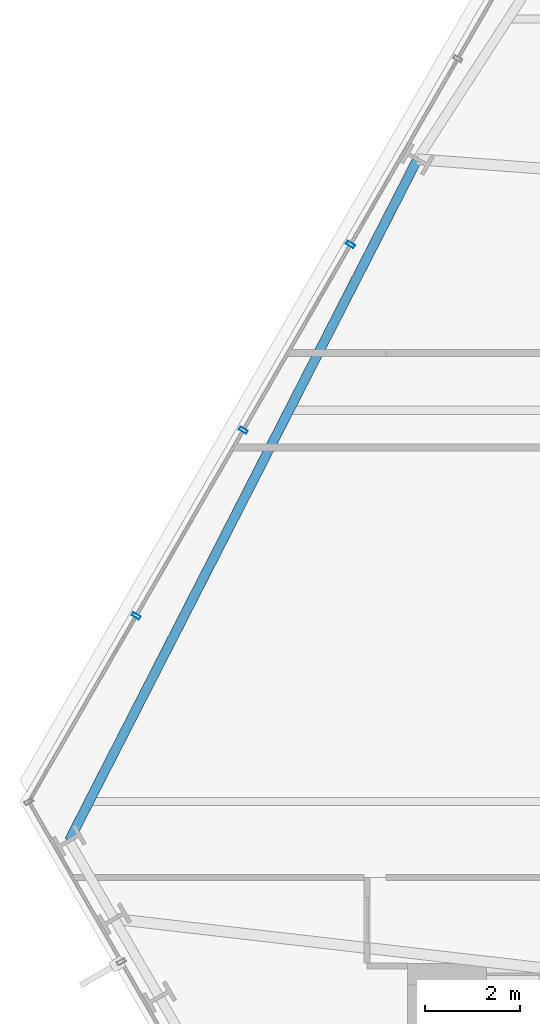
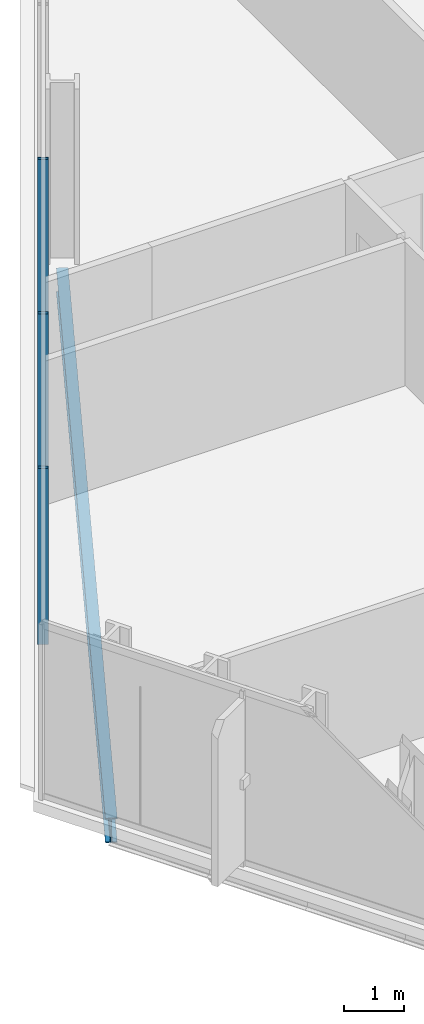
# One storey, part 11 of 32: 3 members, 1 beam, 1 element without a shape of its own.
"""IFC4 building model written with IfcOpenShell, lengths in metres."""

from ifc_helpers import new_model, si_unit, direction, frame, origin, origin_2d, place, context, subcontext, project, spatial, hollow_rectangle, i_section, extrude, material, layer, layer_set, material_profile, profile_set, type_object, element, aggregate, save


model = new_model("IFC4")

# Units and contexts
model_context = context("Model", 3, precision=1e-05, world=origin(), true_north=direction((0.0, 1.0)))
body_context = subcontext(model_context, "Body", "Model", "MODEL_VIEW")
ifc_project = project(units=[si_unit("LENGTHUNIT", "METRE"), si_unit("AREAUNIT", "SQUARE_METRE"), si_unit("VOLUMEUNIT", "CUBIC_METRE"), si_unit("PLANEANGLEUNIT", "RADIAN"), si_unit("MASSUNIT", "GRAM", prefix="KILO")], contexts=[model_context])

# Site, building, storey
site_placement = place(None, origin())
site = spatial("IfcSite", under=ifc_project, at=site_placement, CompositionType="ELEMENT")
building_placement = place(site_placement, origin())
building = spatial("IfcBuilding", under=site, at=building_placement, Name="Ndaravel Arena Tower", CompositionType="ELEMENT")
storey_placement = place(building_placement, frame((0.0, 0.0, 58.800048828125)))
storey = spatial("IfcBuildingStorey", under=building, at=storey_placement, Name="L12", CompositionType="ELEMENT", Elevation=58.800048828125)

# Beam
ifc_material_1 = material(Name="Steel S355", Category="steel")
ifc_material_profile_1 = material_profile(ifc_material_1, i_section(OverallWidth=0.199951171875, OverallDepth=0.5, WebThickness=0.01025390625, FlangeThickness=0.01611328125, FilletRadius=0.02099609375, at=origin_2d()), Name="IPE 500")
ifc_profile_set_1 = profile_set([ifc_material_profile_1], Name="Steel S355")
beam_type = type_object("IfcBeamType", Name="BM-SPAN-IPE500", PredefinedType="SPANDREL", material=ifc_profile_set_1)
beam_placement = place(storey_placement, frame((26.653564453125, 32.060791015625, -0.469970703125), z_axis=(-0.455114813305, -0.890432763722, 0.0), x_axis=(0.890432763722, -0.455114813305, 0.0)))
element("IfcBeam", 1, at=beam_placement, inside=storey, type_object=beam_type, Name="L12 Perimeter Spandrel Beam SP-19", PredefinedType="SPANDREL", context=body_context, shape_type="SweptSolid", body=[
    extrude(i_section(OverallWidth=0.199951171875, OverallDepth=0.5, WebThickness=0.01025390625, FlangeThickness=0.01611328125, FilletRadius=0.02099609375, at=origin_2d()), origin(), (0.0, 0.0, 1.0), 16.044189453125),
])

# Curtain wall, members
ifc_material_2 = material(Name="Aluminium", Category="aluminium")
ifc_layer = layer(ifc_material_2, 0.179931640625)
ifc_layer_set = layer_set([ifc_layer], Name="Aluminium")
curtain_wall_type = type_object("IfcCurtainWallType", Name="CW-SYS-03", PredefinedType="NOTDEFINED", material=ifc_layer_set)
curtain_wall_placement = place(storey_placement, origin())
curtain_wall = element("IfcCurtainWall", 2, at=curtain_wall_placement, inside=storey, type_object=curtain_wall_type, Name="L12 Faceted Crystal Curtain Wall CW-L12-E05", PredefinedType="NOTDEFINED")
ifc_material_3 = material(Name="Aluminium", Category="aluminium")
ifc_material_profile_2 = material_profile(ifc_material_3, hollow_rectangle(XDim=0.074951171875, YDim=0.179931640625, WallThickness=0.00390625, at=origin_2d()), Name="CW MULLION 75x180x4")
ifc_profile_set_2 = profile_set([ifc_material_profile_2], Name="Aluminium")
member_type = type_object("IfcMemberType", Name="MEM-CW-MUL180", PredefinedType="MULLION", material=ifc_profile_set_2)
member_1_placement = place(storey_placement, frame((25.25244140625, 30.274169921875, 0.0), z_axis=(0.0, 0.0, 1.0), x_axis=(-0.5, -0.866025403784, 0.0)))
member_1 = element("IfcMember", 3, at=member_1_placement, type_object=member_type, Name="CW-L12-E05 Mullion 04", PredefinedType="MULLION", context=body_context, shape_type="SweptSolid", body=[
    extrude(hollow_rectangle(XDim=0.074951171875, YDim=0.179931640625, WallThickness=0.00390625, at=origin_2d()), origin(), (0.0, 0.0, 1.0), 3.579833984375),
])
member_2_placement = place(storey_placement, frame((23.004638671875, 26.380859375, 0.0), z_axis=(0.0, 0.0, 1.0), x_axis=(-0.5, -0.866025403784, 0.0)))
member_2 = element("IfcMember", 4, at=member_2_placement, type_object=member_type, Name="CW-L12-E05 Mullion 05", PredefinedType="MULLION", context=body_context, shape_type="SweptSolid", body=[
    extrude(hollow_rectangle(XDim=0.074951171875, YDim=0.179931640625, WallThickness=0.00390625, at=origin_2d()), origin(), (0.0, 0.0, 1.0), 3.579833984375),
])
member_3_placement = place(storey_placement, frame((20.7568359375, 22.4873046875, 0.0), z_axis=(0.0, 0.0, 1.0), x_axis=(-0.5, -0.866025403784, 0.0)))
member_3 = element("IfcMember", 5, at=member_3_placement, type_object=member_type, Name="CW-L12-E05 Mullion 06", PredefinedType="MULLION", context=body_context, shape_type="SweptSolid", body=[
    extrude(hollow_rectangle(XDim=0.074951171875, YDim=0.179931640625, WallThickness=0.00390625, at=origin_2d()), origin(), (0.0, 0.0, 1.0), 3.579833984375),
])
aggregate(curtain_wall, [member_1, member_2, member_3])

save(model, "model.ifc")
